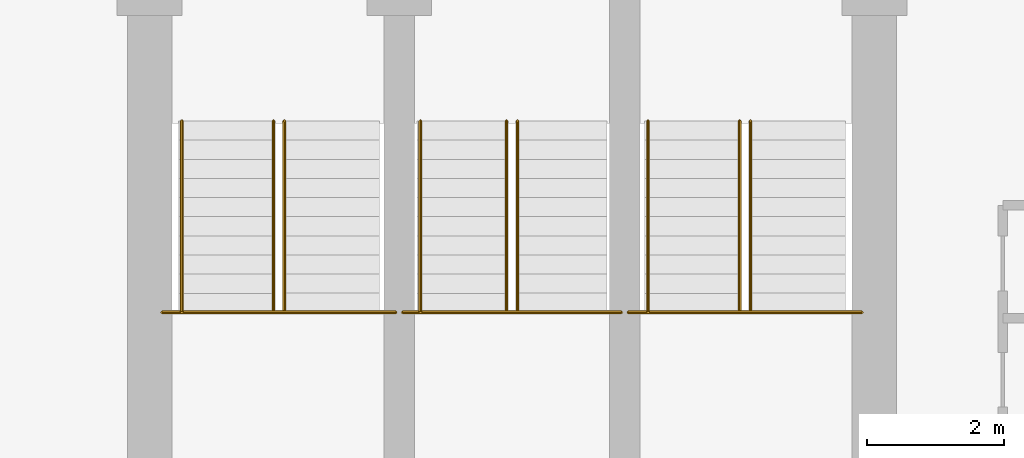
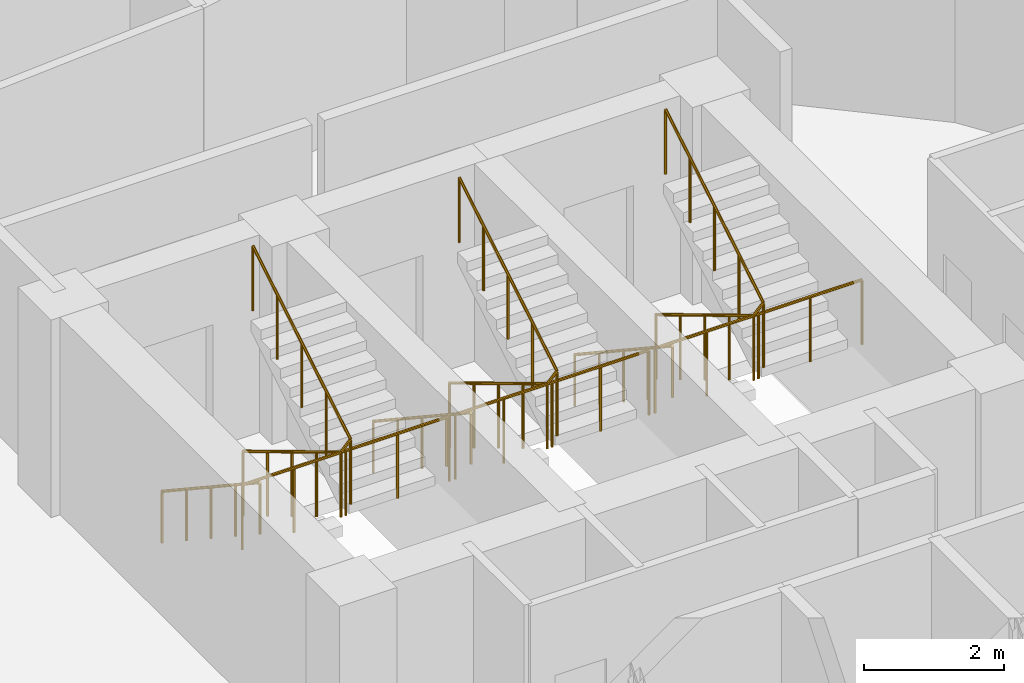
# One storey, part 26 of 26: 9 railings.
"""IFC4 building model written with IfcOpenShell, lengths in metres."""

from ifc_helpers import new_model, si_unit, direction, frame, origin, place, context, subcontext, project, spatial, polyline, outline, extrude, material, type_object, element, save


model = new_model("IFC4")

# Units and contexts
model_context = context("Model", 3, precision=1e-05, world=origin(), true_north=direction((0.0, 1.0)))
body_context = subcontext(model_context, "Body", "Model", "MODEL_VIEW")
ifc_project = project(units=[si_unit("LENGTHUNIT", "METRE"), si_unit("AREAUNIT", "SQUARE_METRE"), si_unit("VOLUMEUNIT", "CUBIC_METRE"), si_unit("PLANEANGLEUNIT", "RADIAN"), si_unit("MASSUNIT", "GRAM", prefix="KILO")], contexts=[model_context])

# Site, building, storey
site_placement = place(None, origin())
site = spatial("IfcSite", under=ifc_project, at=site_placement, CompositionType="ELEMENT")
building_placement = place(site_placement, origin())
building = spatial("IfcBuilding", under=site, at=building_placement, Name="Nuhasar Tower", CompositionType="ELEMENT")
storey_placement = place(building_placement, frame((0.0, 0.0, 133.050048828125)))
storey = spatial("IfcBuildingStorey", under=building, at=storey_placement, Name="L31", CompositionType="ELEMENT", Elevation=133.050048828125)

# Railings
ifc_material_1 = material(Name="Steel S355", Category="steel")
railing_type_1 = type_object("IfcRailingType", Name="RLG-STAIR-GUARD-1150", PredefinedType="GUARDRAIL", material=ifc_material_1)
railing_1_placement = place(storey_placement, frame((33.8798828125, 32.485107421875, 1.849853515625)))
element("IfcRailing", 1, at=railing_1_placement, inside=storey, type_object=railing_type_1, Name="L31 Stair ST-01 Guardrail LND", PredefinedType="GUARDRAIL", context=body_context, shape_type="SweptSolid", body=[
    extrude(outline(polyline([(0.024169921875, 0.0), (0.01708984375, 0.01708984375), (0.0, 0.024169921875), (-0.01708984375, 0.01708984375), (-0.024169921875, 0.0), (-0.01708984375, -0.01708984375), (0.0, -0.024169921875), (0.01708984375, -0.01708984375), (0.024169921875, 0.0)])), frame((0.0, 0.0, 1.1259765625), z_axis=(1.0, 0.0, 0.0), x_axis=(0.0, 1.0, 0.0)), (0.0, 0.0, 1.0), 3.420166015625),
    extrude(outline(polyline([(0.02099609375, 0.0), (0.014892578125, 0.014892578125), (0.0, 0.02099609375), (-0.014892578125, 0.014892578125), (-0.02099609375, 0.0), (-0.014892578125, -0.014892578125), (0.0, -0.02099609375), (0.014892578125, -0.014892578125), (0.02099609375, 0.0)])), origin(), (0.0, 0.0, 1.0), 1.101806640625),
    extrude(outline(polyline([(0.02099609375, 0.0), (0.014892578125, 0.014892578125), (0.0, 0.02099609375), (-0.014892578125, 0.014892578125), (-0.02099609375, 0.0), (-0.014892578125, -0.014892578125), (0.0, -0.02099609375), (0.014892578125, -0.014892578125), (0.02099609375, 0.0)])), frame((0.85498046875, 0.0, 0.0)), (0.0, 0.0, 1.0), 1.101806640625),
    extrude(outline(polyline([(0.02099609375, 0.0), (0.014892578125, 0.014892578125), (0.0, 0.02099609375), (-0.014892578125, 0.014892578125), (-0.02099609375, 0.0), (-0.014892578125, -0.014892578125), (0.0, -0.02099609375), (0.014892578125, -0.014892578125), (0.02099609375, 0.0)])), frame((1.7099609375, 0.0, 0.0)), (0.0, 0.0, 1.0), 1.101806640625),
    extrude(outline(polyline([(0.02099609375, 0.0), (0.014892578125, 0.014892578125), (0.0, 0.02099609375), (-0.014892578125, 0.014892578125), (-0.02099609375, 0.0), (-0.014892578125, -0.014892578125), (0.0, -0.02099609375), (0.014892578125, -0.014892578125), (0.02099609375, 0.0)])), frame((2.565185546875, 0.0, 0.0)), (0.0, 0.0, 1.0), 1.101806640625),
    extrude(outline(polyline([(0.02099609375, 0.0), (0.014892578125, 0.014892578125), (0.0, 0.02099609375), (-0.014892578125, 0.014892578125), (-0.02099609375, 0.0), (-0.014892578125, -0.014892578125), (0.0, -0.02099609375), (0.014892578125, -0.014892578125), (0.02099609375, 0.0)])), frame((3.420166015625, 0.0, 0.0)), (0.0, 0.0, 1.0), 1.101806640625),
])
railing_2_placement = place(storey_placement, frame((35.510009765625, 35.284912109375, 0.16796875)))
element("IfcRailing", 2, at=railing_2_placement, inside=storey, type_object=railing_type_1, Name="L31 Stair ST-01 Guardrail SLT", PredefinedType="GUARDRAIL", context=body_context, shape_type="SweptSolid", body=[
    extrude(outline(polyline([(0.024169921875, 0.0), (0.01708984375, 0.01708984375), (0.0, 0.024169921875), (-0.01708984375, 0.01708984375), (-0.024169921875, 0.0), (-0.01708984375, -0.01708984375), (0.0, -0.024169921875), (0.01708984375, -0.01708984375), (0.024169921875, 0.0)])), frame((0.0, 0.0, 1.1259765625), z_axis=(0.0, -0.857222391501, 0.514946377315), x_axis=(1.0, 0.0, 0.0)), (0.0, 0.0, 1.0), 3.26611328125),
    extrude(outline(polyline([(0.024169921875, 0.0), (0.01708984375, 0.01708984375), (0.0, 0.024169921875), (-0.01708984375, 0.01708984375), (-0.024169921875, 0.0), (-0.01708984375, -0.01708984375), (0.0, -0.024169921875), (0.01708984375, -0.01708984375), (0.024169921875, 0.0)])), frame((0.0, -2.7998046875, 2.8076171875), z_axis=(0.688998229536, 0.0, 0.72476302313), x_axis=(0.0, 1.0, 0.0)), (0.0, 0.0, 1.0), 0.232177734375),
    extrude(outline(polyline([(0.024169921875, 0.0), (0.01708984375, 0.01708984375), (0.0, 0.024169921875), (-0.01708984375, 0.01708984375), (-0.024169921875, 0.0), (-0.01708984375, -0.01708984375), (0.0, -0.024169921875), (0.01708984375, -0.01708984375), (0.024169921875, 0.0)])), frame((0.159912109375, -2.7998046875, 2.97607421875), z_axis=(0.0, 0.857222391501, 0.514946377315), x_axis=(-1.0, 0.0, 0.0)), (0.0, 0.0, 1.0), 3.26611328125),
    extrude(outline(polyline([(0.02099609375, 0.0), (0.014892578125, 0.014892578125), (0.0, 0.02099609375), (-0.014892578125, 0.014892578125), (-0.02099609375, 0.0), (-0.014892578125, -0.014892578125), (0.0, -0.02099609375), (0.014892578125, -0.014892578125), (0.02099609375, 0.0)])), origin(), (0.0, 0.0, 1.0), 1.101806640625),
    extrude(outline(polyline([(0.02099609375, 0.0), (0.014892578125, 0.014892578125), (0.0, 0.02099609375), (-0.014892578125, 0.014892578125), (-0.02099609375, 0.0), (-0.014892578125, -0.014892578125), (0.0, -0.02099609375), (0.014892578125, -0.014892578125), (0.02099609375, 0.0)])), frame((0.0, -0.699951171875, 0.42041015625)), (0.0, 0.0, 1.0), 1.101806640625),
    extrude(outline(polyline([(0.02099609375, 0.0), (0.014892578125, 0.014892578125), (0.0, 0.02099609375), (-0.014892578125, 0.014892578125), (-0.02099609375, 0.0), (-0.014892578125, -0.014892578125), (0.0, -0.02099609375), (0.014892578125, -0.014892578125), (0.02099609375, 0.0)])), frame((0.0, -1.39990234375, 0.8408203125)), (0.0, 0.0, 1.0), 1.101806640625),
    extrude(outline(polyline([(0.02099609375, 0.0), (0.014892578125, 0.014892578125), (0.0, 0.02099609375), (-0.014892578125, 0.014892578125), (-0.02099609375, 0.0), (-0.014892578125, -0.014892578125), (0.0, -0.02099609375), (0.014892578125, -0.014892578125), (0.02099609375, 0.0)])), frame((0.0, -2.099853515625, 1.261474609375)), (0.0, 0.0, 1.0), 1.101806640625),
    extrude(outline(polyline([(0.02099609375, 0.0), (0.014892578125, 0.014892578125), (0.0, 0.02099609375), (-0.014892578125, 0.014892578125), (-0.02099609375, 0.0), (-0.014892578125, -0.014892578125), (0.0, -0.02099609375), (0.014892578125, -0.014892578125), (0.02099609375, 0.0)])), frame((0.0, -2.7998046875, 1.681884765625)), (0.0, 0.0, 1.0), 1.101806640625),
    extrude(outline(polyline([(0.02099609375, 0.0), (0.014892578125, 0.014892578125), (0.0, 0.02099609375), (-0.014892578125, 0.014892578125), (-0.02099609375, 0.0), (-0.014892578125, -0.014892578125), (0.0, -0.02099609375), (0.014892578125, -0.014892578125), (0.02099609375, 0.0)])), frame((0.159912109375, -2.7998046875, 1.85009765625)), (0.0, 0.0, 1.0), 1.101806640625),
    extrude(outline(polyline([(0.02099609375, 0.0), (0.014892578125, 0.014892578125), (0.0, 0.02099609375), (-0.014892578125, 0.014892578125), (-0.02099609375, 0.0), (-0.014892578125, -0.014892578125), (0.0, -0.02099609375), (0.014892578125, -0.014892578125), (0.02099609375, 0.0)])), frame((0.159912109375, -2.099853515625, 2.2705078125)), (0.0, 0.0, 1.0), 1.101806640625),
    extrude(outline(polyline([(0.02099609375, 0.0), (0.014892578125, 0.014892578125), (0.0, 0.02099609375), (-0.014892578125, 0.014892578125), (-0.02099609375, 0.0), (-0.014892578125, -0.014892578125), (0.0, -0.02099609375), (0.014892578125, -0.014892578125), (0.02099609375, 0.0)])), frame((0.159912109375, -1.39990234375, 2.69091796875)), (0.0, 0.0, 1.0), 1.101806640625),
    extrude(outline(polyline([(0.02099609375, 0.0), (0.014892578125, 0.014892578125), (0.0, 0.02099609375), (-0.014892578125, 0.014892578125), (-0.02099609375, 0.0), (-0.014892578125, -0.014892578125), (0.0, -0.02099609375), (0.014892578125, -0.014892578125), (0.02099609375, 0.0)])), frame((0.159912109375, -0.699951171875, 3.111572265625)), (0.0, 0.0, 1.0), 1.101806640625),
    extrude(outline(polyline([(0.02099609375, 0.0), (0.014892578125, 0.014892578125), (0.0, 0.02099609375), (-0.014892578125, 0.014892578125), (-0.02099609375, 0.0), (-0.014892578125, -0.014892578125), (0.0, -0.02099609375), (0.014892578125, -0.014892578125), (0.02099609375, 0.0)])), frame((0.159912109375, 0.0, 3.531982421875)), (0.0, 0.0, 1.0), 1.101806640625),
])
railing_3_placement = place(storey_placement, frame((37.39990234375, 32.485107421875, 1.849853515625)))
element("IfcRailing", 3, at=railing_3_placement, inside=storey, type_object=railing_type_1, Name="L31 Stair ST-03 Guardrail LND", PredefinedType="GUARDRAIL", context=body_context, shape_type="SweptSolid", body=[
    extrude(outline(polyline([(0.024169921875, 0.0), (0.01708984375, 0.01708984375), (0.0, 0.024169921875), (-0.01708984375, 0.01708984375), (-0.024169921875, 0.0), (-0.01708984375, -0.01708984375), (0.0, -0.024169921875), (0.01708984375, -0.01708984375), (0.024169921875, 0.0)])), frame((0.0, 0.0, 1.1259765625), z_axis=(1.0, 0.0, 0.0), x_axis=(0.0, 1.0, 0.0)), (0.0, 0.0, 1.0), 3.2001953125),
    extrude(outline(polyline([(0.02099609375, 0.0), (0.014892578125, 0.014892578125), (0.0, 0.02099609375), (-0.014892578125, 0.014892578125), (-0.02099609375, 0.0), (-0.014892578125, -0.014892578125), (0.0, -0.02099609375), (0.014892578125, -0.014892578125), (0.02099609375, 0.0)])), origin(), (0.0, 0.0, 1.0), 1.101806640625),
    extrude(outline(polyline([(0.02099609375, 0.0), (0.014892578125, 0.014892578125), (0.0, 0.02099609375), (-0.014892578125, 0.014892578125), (-0.02099609375, 0.0), (-0.014892578125, -0.014892578125), (0.0, -0.02099609375), (0.014892578125, -0.014892578125), (0.02099609375, 0.0)])), frame((0.800048828125, 0.0, 0.0)), (0.0, 0.0, 1.0), 1.101806640625),
    extrude(outline(polyline([(0.02099609375, 0.0), (0.014892578125, 0.014892578125), (0.0, 0.02099609375), (-0.014892578125, 0.014892578125), (-0.02099609375, 0.0), (-0.014892578125, -0.014892578125), (0.0, -0.02099609375), (0.014892578125, -0.014892578125), (0.02099609375, 0.0)])), frame((1.60009765625, 0.0, 0.0)), (0.0, 0.0, 1.0), 1.101806640625),
    extrude(outline(polyline([(0.02099609375, 0.0), (0.014892578125, 0.014892578125), (0.0, 0.02099609375), (-0.014892578125, 0.014892578125), (-0.02099609375, 0.0), (-0.014892578125, -0.014892578125), (0.0, -0.02099609375), (0.014892578125, -0.014892578125), (0.02099609375, 0.0)])), frame((2.400146484375, 0.0, 0.0)), (0.0, 0.0, 1.0), 1.101806640625),
    extrude(outline(polyline([(0.02099609375, 0.0), (0.014892578125, 0.014892578125), (0.0, 0.02099609375), (-0.014892578125, 0.014892578125), (-0.02099609375, 0.0), (-0.014892578125, -0.014892578125), (0.0, -0.02099609375), (0.014892578125, -0.014892578125), (0.02099609375, 0.0)])), frame((3.2001953125, 0.0, 0.0)), (0.0, 0.0, 1.0), 1.101806640625),
])
railing_4_placement = place(storey_placement, frame((38.919921875, 35.284912109375, 0.16796875)))
element("IfcRailing", 4, at=railing_4_placement, inside=storey, type_object=railing_type_1, Name="L31 Stair ST-03 Guardrail SLT", PredefinedType="GUARDRAIL", context=body_context, shape_type="SweptSolid", body=[
    extrude(outline(polyline([(0.024169921875, 0.0), (0.01708984375, 0.01708984375), (0.0, 0.024169921875), (-0.01708984375, 0.01708984375), (-0.024169921875, 0.0), (-0.01708984375, -0.01708984375), (0.0, -0.024169921875), (0.01708984375, -0.01708984375), (0.024169921875, 0.0)])), frame((0.0, 0.0, 1.1259765625), z_axis=(0.0, -0.857222391501, 0.514946377315), x_axis=(1.0, 0.0, 0.0)), (0.0, 0.0, 1.0), 3.26611328125),
    extrude(outline(polyline([(0.024169921875, 0.0), (0.01708984375, 0.01708984375), (0.0, 0.024169921875), (-0.01708984375, 0.01708984375), (-0.024169921875, 0.0), (-0.01708984375, -0.01708984375), (0.0, -0.024169921875), (0.01708984375, -0.01708984375), (0.024169921875, 0.0)])), frame((0.0, -2.7998046875, 2.8076171875), z_axis=(0.689550175797, 0.0, 0.724237913298), x_axis=(0.0, 1.0, 0.0)), (0.0, 0.0, 1.0), 0.232177734375),
    extrude(outline(polyline([(0.024169921875, 0.0), (0.01708984375, 0.01708984375), (0.0, 0.024169921875), (-0.01708984375, 0.01708984375), (-0.024169921875, 0.0), (-0.01708984375, -0.01708984375), (0.0, -0.024169921875), (0.01708984375, -0.01708984375), (0.024169921875, 0.0)])), frame((0.16015625, -2.7998046875, 2.97607421875), z_axis=(0.0, 0.857222391501, 0.514946377315), x_axis=(-1.0, 0.0, 0.0)), (0.0, 0.0, 1.0), 3.26611328125),
    extrude(outline(polyline([(0.02099609375, 0.0), (0.014892578125, 0.014892578125), (0.0, 0.02099609375), (-0.014892578125, 0.014892578125), (-0.02099609375, 0.0), (-0.014892578125, -0.014892578125), (0.0, -0.02099609375), (0.014892578125, -0.014892578125), (0.02099609375, 0.0)])), origin(), (0.0, 0.0, 1.0), 1.101806640625),
    extrude(outline(polyline([(0.02099609375, 0.0), (0.014892578125, 0.014892578125), (0.0, 0.02099609375), (-0.014892578125, 0.014892578125), (-0.02099609375, 0.0), (-0.014892578125, -0.014892578125), (0.0, -0.02099609375), (0.014892578125, -0.014892578125), (0.02099609375, 0.0)])), frame((0.0, -0.699951171875, 0.42041015625)), (0.0, 0.0, 1.0), 1.101806640625),
    extrude(outline(polyline([(0.02099609375, 0.0), (0.014892578125, 0.014892578125), (0.0, 0.02099609375), (-0.014892578125, 0.014892578125), (-0.02099609375, 0.0), (-0.014892578125, -0.014892578125), (0.0, -0.02099609375), (0.014892578125, -0.014892578125), (0.02099609375, 0.0)])), frame((0.0, -1.39990234375, 0.8408203125)), (0.0, 0.0, 1.0), 1.101806640625),
    extrude(outline(polyline([(0.02099609375, 0.0), (0.014892578125, 0.014892578125), (0.0, 0.02099609375), (-0.014892578125, 0.014892578125), (-0.02099609375, 0.0), (-0.014892578125, -0.014892578125), (0.0, -0.02099609375), (0.014892578125, -0.014892578125), (0.02099609375, 0.0)])), frame((0.0, -2.099853515625, 1.261474609375)), (0.0, 0.0, 1.0), 1.101806640625),
    extrude(outline(polyline([(0.02099609375, 0.0), (0.014892578125, 0.014892578125), (0.0, 0.02099609375), (-0.014892578125, 0.014892578125), (-0.02099609375, 0.0), (-0.014892578125, -0.014892578125), (0.0, -0.02099609375), (0.014892578125, -0.014892578125), (0.02099609375, 0.0)])), frame((0.0, -2.7998046875, 1.681884765625)), (0.0, 0.0, 1.0), 1.101806640625),
    extrude(outline(polyline([(0.02099609375, 0.0), (0.014892578125, 0.014892578125), (0.0, 0.02099609375), (-0.014892578125, 0.014892578125), (-0.02099609375, 0.0), (-0.014892578125, -0.014892578125), (0.0, -0.02099609375), (0.014892578125, -0.014892578125), (0.02099609375, 0.0)])), frame((0.16015625, -2.7998046875, 1.85009765625)), (0.0, 0.0, 1.0), 1.101806640625),
    extrude(outline(polyline([(0.02099609375, 0.0), (0.014892578125, 0.014892578125), (0.0, 0.02099609375), (-0.014892578125, 0.014892578125), (-0.02099609375, 0.0), (-0.014892578125, -0.014892578125), (0.0, -0.02099609375), (0.014892578125, -0.014892578125), (0.02099609375, 0.0)])), frame((0.16015625, -2.099853515625, 2.2705078125)), (0.0, 0.0, 1.0), 1.101806640625),
    extrude(outline(polyline([(0.02099609375, 0.0), (0.014892578125, 0.014892578125), (0.0, 0.02099609375), (-0.014892578125, 0.014892578125), (-0.02099609375, 0.0), (-0.014892578125, -0.014892578125), (0.0, -0.02099609375), (0.014892578125, -0.014892578125), (0.02099609375, 0.0)])), frame((0.16015625, -1.39990234375, 2.69091796875)), (0.0, 0.0, 1.0), 1.101806640625),
    extrude(outline(polyline([(0.02099609375, 0.0), (0.014892578125, 0.014892578125), (0.0, 0.02099609375), (-0.014892578125, 0.014892578125), (-0.02099609375, 0.0), (-0.014892578125, -0.014892578125), (0.0, -0.02099609375), (0.014892578125, -0.014892578125), (0.02099609375, 0.0)])), frame((0.16015625, -0.699951171875, 3.111572265625)), (0.0, 0.0, 1.0), 1.101806640625),
    extrude(outline(polyline([(0.02099609375, 0.0), (0.014892578125, 0.014892578125), (0.0, 0.02099609375), (-0.014892578125, 0.014892578125), (-0.02099609375, 0.0), (-0.014892578125, -0.014892578125), (0.0, -0.02099609375), (0.014892578125, -0.014892578125), (0.02099609375, 0.0)])), frame((0.16015625, 0.0, 3.531982421875)), (0.0, 0.0, 1.0), 1.101806640625),
])
railing_5_placement = place(storey_placement, frame((40.699951171875, 32.485107421875, 1.849853515625)))
element("IfcRailing", 5, at=railing_5_placement, inside=storey, type_object=railing_type_1, Name="L31 Stair ST-02 Guardrail LND", PredefinedType="GUARDRAIL", context=body_context, shape_type="SweptSolid", body=[
    extrude(outline(polyline([(0.024169921875, 0.0), (0.01708984375, 0.01708984375), (0.0, 0.024169921875), (-0.01708984375, 0.01708984375), (-0.024169921875, 0.0), (-0.01708984375, -0.01708984375), (0.0, -0.024169921875), (0.01708984375, -0.01708984375), (0.024169921875, 0.0)])), frame((0.0, 0.0, 1.1259765625), z_axis=(1.0, 0.0, 0.0), x_axis=(0.0, 1.0, 0.0)), (0.0, 0.0, 1.0), 3.420166015625),
    extrude(outline(polyline([(0.02099609375, 0.0), (0.014892578125, 0.014892578125), (0.0, 0.02099609375), (-0.014892578125, 0.014892578125), (-0.02099609375, 0.0), (-0.014892578125, -0.014892578125), (0.0, -0.02099609375), (0.014892578125, -0.014892578125), (0.02099609375, 0.0)])), origin(), (0.0, 0.0, 1.0), 1.101806640625),
    extrude(outline(polyline([(0.02099609375, 0.0), (0.014892578125, 0.014892578125), (0.0, 0.02099609375), (-0.014892578125, 0.014892578125), (-0.02099609375, 0.0), (-0.014892578125, -0.014892578125), (0.0, -0.02099609375), (0.014892578125, -0.014892578125), (0.02099609375, 0.0)])), frame((0.85498046875, 0.0, 0.0)), (0.0, 0.0, 1.0), 1.101806640625),
    extrude(outline(polyline([(0.02099609375, 0.0), (0.014892578125, 0.014892578125), (0.0, 0.02099609375), (-0.014892578125, 0.014892578125), (-0.02099609375, 0.0), (-0.014892578125, -0.014892578125), (0.0, -0.02099609375), (0.014892578125, -0.014892578125), (0.02099609375, 0.0)])), frame((1.7099609375, 0.0, 0.0)), (0.0, 0.0, 1.0), 1.101806640625),
    extrude(outline(polyline([(0.02099609375, 0.0), (0.014892578125, 0.014892578125), (0.0, 0.02099609375), (-0.014892578125, 0.014892578125), (-0.02099609375, 0.0), (-0.014892578125, -0.014892578125), (0.0, -0.02099609375), (0.014892578125, -0.014892578125), (0.02099609375, 0.0)])), frame((2.565185546875, 0.0, 0.0)), (0.0, 0.0, 1.0), 1.101806640625),
    extrude(outline(polyline([(0.02099609375, 0.0), (0.014892578125, 0.014892578125), (0.0, 0.02099609375), (-0.014892578125, 0.014892578125), (-0.02099609375, 0.0), (-0.014892578125, -0.014892578125), (0.0, -0.02099609375), (0.014892578125, -0.014892578125), (0.02099609375, 0.0)])), frame((3.420166015625, 0.0, 0.0)), (0.0, 0.0, 1.0), 1.101806640625),
])
railing_6_placement = place(storey_placement, frame((42.330078125, 35.284912109375, 0.16796875)))
element("IfcRailing", 6, at=railing_6_placement, inside=storey, type_object=railing_type_1, Name="L31 Stair ST-02 Guardrail SLT", PredefinedType="GUARDRAIL", context=body_context, shape_type="SweptSolid", body=[
    extrude(outline(polyline([(0.024169921875, 0.0), (0.01708984375, 0.01708984375), (0.0, 0.024169921875), (-0.01708984375, 0.01708984375), (-0.024169921875, 0.0), (-0.01708984375, -0.01708984375), (0.0, -0.024169921875), (0.01708984375, -0.01708984375), (0.024169921875, 0.0)])), frame((0.0, 0.0, 1.1259765625), z_axis=(0.0, -0.857222391501, 0.514946377315), x_axis=(1.0, 0.0, 0.0)), (0.0, 0.0, 1.0), 3.26611328125),
    extrude(outline(polyline([(0.024169921875, 0.0), (0.01708984375, 0.01708984375), (0.0, 0.024169921875), (-0.01708984375, 0.01708984375), (-0.024169921875, 0.0), (-0.01708984375, -0.01708984375), (0.0, -0.024169921875), (0.01708984375, -0.01708984375), (0.024169921875, 0.0)])), frame((0.0, -2.7998046875, 2.8076171875), z_axis=(0.688998229536, 0.0, 0.72476302313), x_axis=(0.0, 1.0, 0.0)), (0.0, 0.0, 1.0), 0.232177734375),
    extrude(outline(polyline([(0.024169921875, 0.0), (0.01708984375, 0.01708984375), (0.0, 0.024169921875), (-0.01708984375, 0.01708984375), (-0.024169921875, 0.0), (-0.01708984375, -0.01708984375), (0.0, -0.024169921875), (0.01708984375, -0.01708984375), (0.024169921875, 0.0)])), frame((0.159912109375, -2.7998046875, 2.97607421875), z_axis=(0.0, 0.857222391501, 0.514946377315), x_axis=(-1.0, 0.0, 0.0)), (0.0, 0.0, 1.0), 3.26611328125),
    extrude(outline(polyline([(0.02099609375, 0.0), (0.014892578125, 0.014892578125), (0.0, 0.02099609375), (-0.014892578125, 0.014892578125), (-0.02099609375, 0.0), (-0.014892578125, -0.014892578125), (0.0, -0.02099609375), (0.014892578125, -0.014892578125), (0.02099609375, 0.0)])), origin(), (0.0, 0.0, 1.0), 1.101806640625),
    extrude(outline(polyline([(0.02099609375, 0.0), (0.014892578125, 0.014892578125), (0.0, 0.02099609375), (-0.014892578125, 0.014892578125), (-0.02099609375, 0.0), (-0.014892578125, -0.014892578125), (0.0, -0.02099609375), (0.014892578125, -0.014892578125), (0.02099609375, 0.0)])), frame((0.0, -0.699951171875, 0.42041015625)), (0.0, 0.0, 1.0), 1.101806640625),
    extrude(outline(polyline([(0.02099609375, 0.0), (0.014892578125, 0.014892578125), (0.0, 0.02099609375), (-0.014892578125, 0.014892578125), (-0.02099609375, 0.0), (-0.014892578125, -0.014892578125), (0.0, -0.02099609375), (0.014892578125, -0.014892578125), (0.02099609375, 0.0)])), frame((0.0, -1.39990234375, 0.8408203125)), (0.0, 0.0, 1.0), 1.101806640625),
    extrude(outline(polyline([(0.02099609375, 0.0), (0.014892578125, 0.014892578125), (0.0, 0.02099609375), (-0.014892578125, 0.014892578125), (-0.02099609375, 0.0), (-0.014892578125, -0.014892578125), (0.0, -0.02099609375), (0.014892578125, -0.014892578125), (0.02099609375, 0.0)])), frame((0.0, -2.099853515625, 1.261474609375)), (0.0, 0.0, 1.0), 1.101806640625),
    extrude(outline(polyline([(0.02099609375, 0.0), (0.014892578125, 0.014892578125), (0.0, 0.02099609375), (-0.014892578125, 0.014892578125), (-0.02099609375, 0.0), (-0.014892578125, -0.014892578125), (0.0, -0.02099609375), (0.014892578125, -0.014892578125), (0.02099609375, 0.0)])), frame((0.0, -2.7998046875, 1.681884765625)), (0.0, 0.0, 1.0), 1.101806640625),
    extrude(outline(polyline([(0.02099609375, 0.0), (0.014892578125, 0.014892578125), (0.0, 0.02099609375), (-0.014892578125, 0.014892578125), (-0.02099609375, 0.0), (-0.014892578125, -0.014892578125), (0.0, -0.02099609375), (0.014892578125, -0.014892578125), (0.02099609375, 0.0)])), frame((0.159912109375, -2.7998046875, 1.85009765625)), (0.0, 0.0, 1.0), 1.101806640625),
    extrude(outline(polyline([(0.02099609375, 0.0), (0.014892578125, 0.014892578125), (0.0, 0.02099609375), (-0.014892578125, 0.014892578125), (-0.02099609375, 0.0), (-0.014892578125, -0.014892578125), (0.0, -0.02099609375), (0.014892578125, -0.014892578125), (0.02099609375, 0.0)])), frame((0.159912109375, -2.099853515625, 2.2705078125)), (0.0, 0.0, 1.0), 1.101806640625),
    extrude(outline(polyline([(0.02099609375, 0.0), (0.014892578125, 0.014892578125), (0.0, 0.02099609375), (-0.014892578125, 0.014892578125), (-0.02099609375, 0.0), (-0.014892578125, -0.014892578125), (0.0, -0.02099609375), (0.014892578125, -0.014892578125), (0.02099609375, 0.0)])), frame((0.159912109375, -1.39990234375, 2.69091796875)), (0.0, 0.0, 1.0), 1.101806640625),
    extrude(outline(polyline([(0.02099609375, 0.0), (0.014892578125, 0.014892578125), (0.0, 0.02099609375), (-0.014892578125, 0.014892578125), (-0.02099609375, 0.0), (-0.014892578125, -0.014892578125), (0.0, -0.02099609375), (0.014892578125, -0.014892578125), (0.02099609375, 0.0)])), frame((0.159912109375, -0.699951171875, 3.111572265625)), (0.0, 0.0, 1.0), 1.101806640625),
    extrude(outline(polyline([(0.02099609375, 0.0), (0.014892578125, 0.014892578125), (0.0, 0.02099609375), (-0.014892578125, 0.014892578125), (-0.02099609375, 0.0), (-0.014892578125, -0.014892578125), (0.0, -0.02099609375), (0.014892578125, -0.014892578125), (0.02099609375, 0.0)])), frame((0.159912109375, 0.0, 3.531982421875)), (0.0, 0.0, 1.0), 1.101806640625),
])
ifc_material_2 = material(Name="Stainless Steel 316L", Category="steel")
railing_type_2 = type_object("IfcRailingType", Name="RLG-STAIR-HAND-920", PredefinedType="HANDRAIL", material=ifc_material_2)
railing_7_placement = place(storey_placement, frame((34.169921875, 35.284912109375, 0.16796875)))
element("IfcRailing", 7, at=railing_7_placement, inside=storey, type_object=railing_type_2, Name="L31 Stair ST-01 Handrail HND1", PredefinedType="HANDRAIL", context=body_context, shape_type="SweptSolid", body=[
    extrude(outline(polyline([(0.024169921875, 0.0), (0.01708984375, 0.01708984375), (0.0, 0.024169921875), (-0.01708984375, 0.01708984375), (-0.024169921875, 0.0), (-0.01708984375, -0.01708984375), (0.0, -0.024169921875), (0.01708984375, -0.01708984375), (0.024169921875, 0.0)])), frame((0.0, 0.0, 0.89599609375), z_axis=(0.0, -0.834304248922, 0.551304290053), x_axis=(1.0, 0.0, 0.0)), (0.0, 0.0, 1.0), 3.35595703125),
    extrude(outline(polyline([(0.02099609375, 0.0), (0.014892578125, 0.014892578125), (0.0, 0.02099609375), (-0.014892578125, 0.014892578125), (-0.02099609375, 0.0), (-0.014892578125, -0.014892578125), (0.0, -0.02099609375), (0.014892578125, -0.014892578125), (0.02099609375, 0.0)])), origin(), (0.0, 0.0, 1.0), 0.871826171875),
    extrude(outline(polyline([(0.02099609375, 0.0), (0.014892578125, 0.014892578125), (0.0, 0.02099609375), (-0.014892578125, 0.014892578125), (-0.02099609375, 0.0), (-0.014892578125, -0.014892578125), (0.0, -0.02099609375), (0.014892578125, -0.014892578125), (0.02099609375, 0.0)])), frame((0.0, -0.699951171875, 0.46240234375)), (0.0, 0.0, 1.0), 0.871826171875),
    extrude(outline(polyline([(0.02099609375, 0.0), (0.014892578125, 0.014892578125), (0.0, 0.02099609375), (-0.014892578125, 0.014892578125), (-0.02099609375, 0.0), (-0.014892578125, -0.014892578125), (0.0, -0.02099609375), (0.014892578125, -0.014892578125), (0.02099609375, 0.0)])), frame((0.0, -1.39990234375, 0.925048828125)), (0.0, 0.0, 1.0), 0.871826171875),
    extrude(outline(polyline([(0.02099609375, 0.0), (0.014892578125, 0.014892578125), (0.0, 0.02099609375), (-0.014892578125, 0.014892578125), (-0.02099609375, 0.0), (-0.014892578125, -0.014892578125), (0.0, -0.02099609375), (0.014892578125, -0.014892578125), (0.02099609375, 0.0)])), frame((0.0, -2.099853515625, 1.3876953125)), (0.0, 0.0, 1.0), 0.871826171875),
    extrude(outline(polyline([(0.02099609375, 0.0), (0.014892578125, 0.014892578125), (0.0, 0.02099609375), (-0.014892578125, 0.014892578125), (-0.02099609375, 0.0), (-0.014892578125, -0.014892578125), (0.0, -0.02099609375), (0.014892578125, -0.014892578125), (0.02099609375, 0.0)])), frame((0.0, -2.7998046875, 1.85009765625)), (0.0, 0.0, 1.0), 0.871826171875),
])
railing_8_placement = place(storey_placement, frame((37.659912109375, 35.284912109375, 0.16796875)))
element("IfcRailing", 8, at=railing_8_placement, inside=storey, type_object=railing_type_2, Name="L31 Stair ST-03 Handrail HND1", PredefinedType="HANDRAIL", context=body_context, shape_type="SweptSolid", body=[
    extrude(outline(polyline([(0.024169921875, 0.0), (0.01708984375, 0.01708984375), (0.0, 0.024169921875), (-0.01708984375, 0.01708984375), (-0.024169921875, 0.0), (-0.01708984375, -0.01708984375), (0.0, -0.024169921875), (0.01708984375, -0.01708984375), (0.024169921875, 0.0)])), frame((0.0, 0.0, 0.89599609375), z_axis=(0.0, -0.834304248922, 0.551304290053), x_axis=(1.0, 0.0, 0.0)), (0.0, 0.0, 1.0), 3.35595703125),
    extrude(outline(polyline([(0.02099609375, 0.0), (0.014892578125, 0.014892578125), (0.0, 0.02099609375), (-0.014892578125, 0.014892578125), (-0.02099609375, 0.0), (-0.014892578125, -0.014892578125), (0.0, -0.02099609375), (0.014892578125, -0.014892578125), (0.02099609375, 0.0)])), origin(), (0.0, 0.0, 1.0), 0.871826171875),
    extrude(outline(polyline([(0.02099609375, 0.0), (0.014892578125, 0.014892578125), (0.0, 0.02099609375), (-0.014892578125, 0.014892578125), (-0.02099609375, 0.0), (-0.014892578125, -0.014892578125), (0.0, -0.02099609375), (0.014892578125, -0.014892578125), (0.02099609375, 0.0)])), frame((0.0, -0.699951171875, 0.46240234375)), (0.0, 0.0, 1.0), 0.871826171875),
    extrude(outline(polyline([(0.02099609375, 0.0), (0.014892578125, 0.014892578125), (0.0, 0.02099609375), (-0.014892578125, 0.014892578125), (-0.02099609375, 0.0), (-0.014892578125, -0.014892578125), (0.0, -0.02099609375), (0.014892578125, -0.014892578125), (0.02099609375, 0.0)])), frame((0.0, -1.39990234375, 0.925048828125)), (0.0, 0.0, 1.0), 0.871826171875),
    extrude(outline(polyline([(0.02099609375, 0.0), (0.014892578125, 0.014892578125), (0.0, 0.02099609375), (-0.014892578125, 0.014892578125), (-0.02099609375, 0.0), (-0.014892578125, -0.014892578125), (0.0, -0.02099609375), (0.014892578125, -0.014892578125), (0.02099609375, 0.0)])), frame((0.0, -2.099853515625, 1.3876953125)), (0.0, 0.0, 1.0), 0.871826171875),
    extrude(outline(polyline([(0.02099609375, 0.0), (0.014892578125, 0.014892578125), (0.0, 0.02099609375), (-0.014892578125, 0.014892578125), (-0.02099609375, 0.0), (-0.014892578125, -0.014892578125), (0.0, -0.02099609375), (0.014892578125, -0.014892578125), (0.02099609375, 0.0)])), frame((0.0, -2.7998046875, 1.85009765625)), (0.0, 0.0, 1.0), 0.871826171875),
])
railing_9_placement = place(storey_placement, frame((40.989990234375, 35.284912109375, 0.16796875)))
element("IfcRailing", 9, at=railing_9_placement, inside=storey, type_object=railing_type_2, Name="L31 Stair ST-02 Handrail HND1", PredefinedType="HANDRAIL", context=body_context, shape_type="SweptSolid", body=[
    extrude(outline(polyline([(0.024169921875, 0.0), (0.01708984375, 0.01708984375), (0.0, 0.024169921875), (-0.01708984375, 0.01708984375), (-0.024169921875, 0.0), (-0.01708984375, -0.01708984375), (0.0, -0.024169921875), (0.01708984375, -0.01708984375), (0.024169921875, 0.0)])), frame((0.0, 0.0, 0.89599609375), z_axis=(0.0, -0.834304248922, 0.551304290053), x_axis=(1.0, 0.0, 0.0)), (0.0, 0.0, 1.0), 3.35595703125),
    extrude(outline(polyline([(0.02099609375, 0.0), (0.014892578125, 0.014892578125), (0.0, 0.02099609375), (-0.014892578125, 0.014892578125), (-0.02099609375, 0.0), (-0.014892578125, -0.014892578125), (0.0, -0.02099609375), (0.014892578125, -0.014892578125), (0.02099609375, 0.0)])), origin(), (0.0, 0.0, 1.0), 0.871826171875),
    extrude(outline(polyline([(0.02099609375, 0.0), (0.014892578125, 0.014892578125), (0.0, 0.02099609375), (-0.014892578125, 0.014892578125), (-0.02099609375, 0.0), (-0.014892578125, -0.014892578125), (0.0, -0.02099609375), (0.014892578125, -0.014892578125), (0.02099609375, 0.0)])), frame((0.0, -0.699951171875, 0.46240234375)), (0.0, 0.0, 1.0), 0.871826171875),
    extrude(outline(polyline([(0.02099609375, 0.0), (0.014892578125, 0.014892578125), (0.0, 0.02099609375), (-0.014892578125, 0.014892578125), (-0.02099609375, 0.0), (-0.014892578125, -0.014892578125), (0.0, -0.02099609375), (0.014892578125, -0.014892578125), (0.02099609375, 0.0)])), frame((0.0, -1.39990234375, 0.925048828125)), (0.0, 0.0, 1.0), 0.871826171875),
    extrude(outline(polyline([(0.02099609375, 0.0), (0.014892578125, 0.014892578125), (0.0, 0.02099609375), (-0.014892578125, 0.014892578125), (-0.02099609375, 0.0), (-0.014892578125, -0.014892578125), (0.0, -0.02099609375), (0.014892578125, -0.014892578125), (0.02099609375, 0.0)])), frame((0.0, -2.099853515625, 1.3876953125)), (0.0, 0.0, 1.0), 0.871826171875),
    extrude(outline(polyline([(0.02099609375, 0.0), (0.014892578125, 0.014892578125), (0.0, 0.02099609375), (-0.014892578125, 0.014892578125), (-0.02099609375, 0.0), (-0.014892578125, -0.014892578125), (0.0, -0.02099609375), (0.014892578125, -0.014892578125), (0.02099609375, 0.0)])), frame((0.0, -2.7998046875, 1.85009765625)), (0.0, 0.0, 1.0), 0.871826171875),
])

save(model, "model.ifc")
